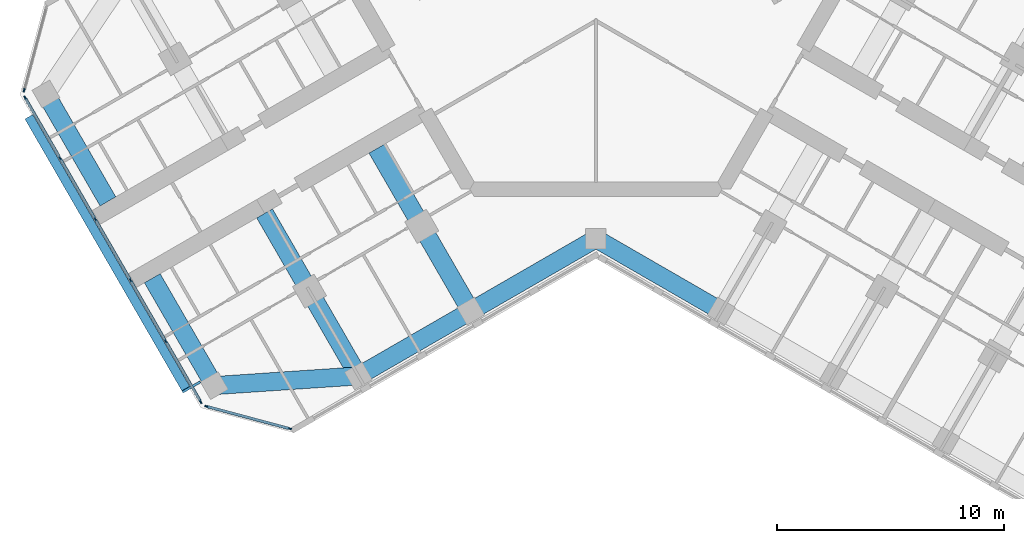
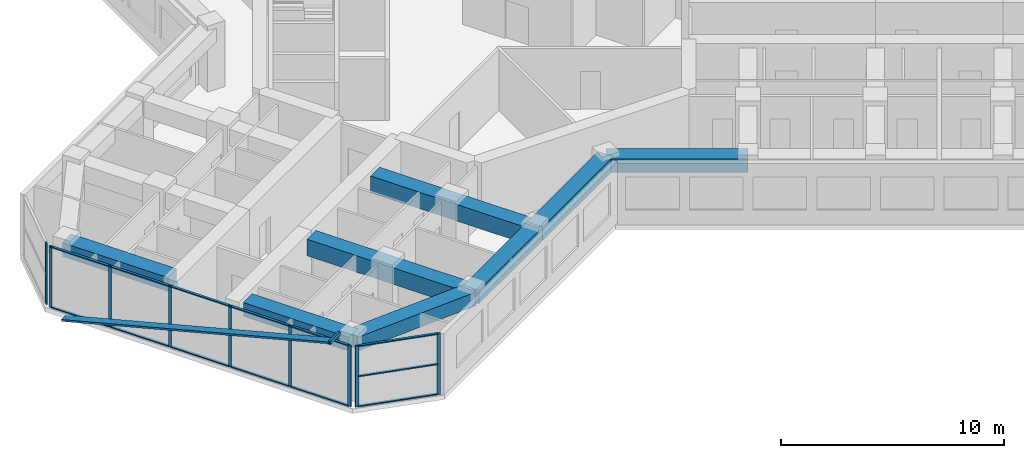
# One storey, part 2 of 16: 24 members, 8 beams, 3 elements without a shape of their own.
"""IFC4 building model written with IfcOpenShell, lengths in metres."""

from ifc_helpers import new_model, si_unit, direction, frame, origin, origin_2d, place, context, subcontext, project, spatial, rectangle, hollow_rectangle, extrude, material, material_profile, profile_set, type_object, element, aggregate, save


model = new_model("IFC4")

# Units and contexts
model_context = context("Model", 3, precision=1e-05, world=origin(), true_north=direction((0.0, 1.0)))
body_context = subcontext(model_context, "Body", "Model", "MODEL_VIEW")
ifc_project = project(units=[si_unit("LENGTHUNIT", "METRE"), si_unit("AREAUNIT", "SQUARE_METRE"), si_unit("VOLUMEUNIT", "CUBIC_METRE"), si_unit("PLANEANGLEUNIT", "RADIAN"), si_unit("MASSUNIT", "GRAM", prefix="KILO")], contexts=[model_context])

# Site, building, storey
site_placement = place(None, origin())
site = spatial("IfcSite", under=ifc_project, at=site_placement, CompositionType="ELEMENT")
building_placement = place(site_placement, origin())
building = spatial("IfcBuilding", under=site, at=building_placement, Name="Kosmar Iwan School Tower", CompositionType="ELEMENT")
storey_placement = place(building_placement, frame((0.0, 0.0, 208.199951171875)))
storey = spatial("IfcBuildingStorey", under=building, at=storey_placement, Name="L52", CompositionType="ELEMENT", Elevation=208.199951171875)

# Members
ifc_material_1 = material(Name="Black anodised aluminium", Category="aluminium")
ifc_material_profile_1 = material_profile(ifc_material_1, rectangle(XDim=0.10009765625, YDim=0.39990234375, at=origin_2d()), Name="FIN 100x400")
ifc_profile_set_1 = profile_set([ifc_material_profile_1], Name="Black anodised aluminium")
member_type_1 = type_object("IfcMemberType", Name="Diagonal fin 100x400", PredefinedType="USERDEFINED", material=ifc_profile_set_1)
member_1_placement = place(storey_placement, frame((-24.926513671875, -6.426025390625, -0.14990234375), z_axis=(0.483802480126, -0.837968840024, 0.252474520243), x_axis=(-0.126237445008, 0.218649241594, 0.967603543104)))
element("IfcMember", 1, at=member_1_placement, inside=storey, type_object=member_type_1, Name="Diagonal fin L52-F11", ObjectType="FIN", PredefinedType="USERDEFINED", context=body_context, shape_type="SweptSolid", body=[
    extrude(rectangle(XDim=0.10009765625, YDim=0.39990234375, at=origin_2d()), origin(), (0.0, 0.0, 1.0), 14.25830078125),
])
ifc_material_2 = material(Name="Steel S355", Category="steel")
ifc_material_profile_2 = material_profile(ifc_material_2, hollow_rectangle(XDim=0.10009765625, YDim=0.199951171875, WallThickness=0.008056640625, at=origin_2d()), Name="RHS 200x100x8")
ifc_profile_set_2 = profile_set([ifc_material_profile_2], Name="Steel S355")
member_type_2 = type_object("IfcMemberType", Name="Fin bracket RHS 200x100", PredefinedType="USERDEFINED", material=ifc_profile_set_2)
member_2_placement = place(storey_placement, frame((-17.396240234375, -18.06884765625, 3.47509765625), z_axis=(-0.866013897511, -0.50001992892, 0.0), x_axis=(0.50001992892, -0.866013897511, 0.0)))
element("IfcMember", 2, at=member_2_placement, inside=storey, type_object=member_type_2, Name="Fin bracket L53", ObjectType="FIN BRACKET", PredefinedType="USERDEFINED", context=body_context, shape_type="SweptSolid", body=[
    extrude(hollow_rectangle(XDim=0.10009765625, YDim=0.199951171875, WallThickness=0.008056640625, at=origin_2d()), origin(), (0.0, 0.0, 1.0), 0.89990234375),
])

# Curtain wall, member
ifc_material_3 = material(Name="Dark glass in black aluminium frame", Category="aluminium")
curtain_wall_type_1 = type_object("IfcCurtainWallType", Name="Chamfer curtain wall dark glass", PredefinedType="USERDEFINED", material=ifc_material_3)
curtain_wall_1_placement = place(storey_placement, origin())
curtain_wall_1 = element("IfcCurtainWall", 3, at=curtain_wall_1_placement, inside=storey, type_object=curtain_wall_type_1, Name="Curtain wall L52-F10", ObjectType="FACETED CURTAIN WALL", PredefinedType="USERDEFINED")
ifc_material_4 = material(Name="Black anodised aluminium", Category="aluminium")
ifc_material_profile_3 = material_profile(ifc_material_4, rectangle(XDim=0.06005859375, YDim=0.159912109375, at=origin_2d()), Name="MULLION 60x160")
ifc_profile_set_3 = profile_set([ifc_material_profile_3], Name="Black anodised aluminium")
member_type_3 = type_object("IfcMemberType", Name="Mullion 60x160", PredefinedType="MULLION", material=ifc_profile_set_3)
member_3_placement = place(storey_placement, frame((-25.141845703125, -5.24853515625, 0.0), z_axis=(0.0, 0.0, 1.0), x_axis=(0.965925875495, -0.258818861462, 0.0)))
member_3 = element("IfcMember", 4, at=member_3_placement, type_object=member_type_3, Name="CW2 mullion 2", PredefinedType="MULLION", context=body_context, shape_type="SweptSolid", body=[
    extrude(rectangle(XDim=0.06005859375, YDim=0.159912109375, at=origin_2d()), origin(), (0.0, 0.0, 1.0), 3.35009765625),
])
aggregate(curtain_wall_1, [member_3])

# Curtain wall, members
ifc_material_5 = material(Name="Dark glass in black aluminium frame", Category="aluminium")
curtain_wall_type_2 = type_object("IfcCurtainWallType", Name="Tower curtain wall dark glass", PredefinedType="USERDEFINED", material=ifc_material_5)
curtain_wall_2_placement = place(storey_placement, origin())
curtain_wall_2 = element("IfcCurtainWall", 5, at=curtain_wall_2_placement, inside=storey, type_object=curtain_wall_type_2, Name="Curtain wall L52-F11", ObjectType="UNITISED CURTAIN WALL", PredefinedType="USERDEFINED")
member_4_placement = place(storey_placement, frame((-25.098388671875, -5.578369140625, 0.0), z_axis=(0.0, 0.0, 1.0), x_axis=(0.866025405329, 0.499999997325, 0.0)))
member_4 = element("IfcMember", 6, at=member_4_placement, type_object=member_type_3, Name="CW1 mullion 1", PredefinedType="MULLION", context=body_context, shape_type="SweptSolid", body=[
    extrude(rectangle(XDim=0.06005859375, YDim=0.159912109375, at=origin_2d()), origin(), (0.0, 0.0, 1.0), 3.35009765625),
])
member_5_placement = place(storey_placement, frame((-23.563720703125, -8.236328125, 0.0), z_axis=(0.0, 0.0, 1.0), x_axis=(0.866025405329, 0.499999997325, 0.0)))
member_5 = element("IfcMember", 7, at=member_5_placement, type_object=member_type_3, Name="CW1 mullion 2", PredefinedType="MULLION", context=body_context, shape_type="SweptSolid", body=[
    extrude(rectangle(XDim=0.06005859375, YDim=0.159912109375, at=origin_2d()), origin(), (0.0, 0.0, 1.0), 3.35009765625),
])
member_6_placement = place(storey_placement, frame((-22.01416015625, -10.92041015625, 0.0), z_axis=(0.0, 0.0, 1.0), x_axis=(0.866025405329, 0.499999997325, 0.0)))
member_6 = element("IfcMember", 8, at=member_6_placement, type_object=member_type_3, Name="CW1 mullion 3", PredefinedType="MULLION", context=body_context, shape_type="SweptSolid", body=[
    extrude(rectangle(XDim=0.06005859375, YDim=0.159912109375, at=origin_2d()), origin(), (0.0, 0.0, 1.0), 3.35009765625),
])
member_7_placement = place(storey_placement, frame((-20.46435546875, -13.6044921875, 0.0), z_axis=(0.0, 0.0, 1.0), x_axis=(0.866025405329, 0.499999997325, 0.0)))
member_7 = element("IfcMember", 9, at=member_7_placement, type_object=member_type_3, Name="CW1 mullion 4", PredefinedType="MULLION", context=body_context, shape_type="SweptSolid", body=[
    extrude(rectangle(XDim=0.06005859375, YDim=0.159912109375, at=origin_2d()), origin(), (0.0, 0.0, 1.0), 3.35009765625),
])
member_8_placement = place(storey_placement, frame((-18.914794921875, -16.28857421875, 0.0), z_axis=(0.0, 0.0, 1.0), x_axis=(0.866025405329, 0.499999997325, 0.0)))
member_8 = element("IfcMember", 10, at=member_8_placement, type_object=member_type_3, Name="CW1 mullion 5", PredefinedType="MULLION", context=body_context, shape_type="SweptSolid", body=[
    extrude(rectangle(XDim=0.06005859375, YDim=0.159912109375, at=origin_2d()), origin(), (0.0, 0.0, 1.0), 3.35009765625),
])
member_9_placement = place(storey_placement, frame((-17.380126953125, -18.94677734375, 0.0), z_axis=(0.0, 0.0, 1.0), x_axis=(0.866025405329, 0.499999997325, 0.0)))
member_9 = element("IfcMember", 11, at=member_9_placement, type_object=member_type_3, Name="CW1 mullion 6", PredefinedType="MULLION", context=body_context, shape_type="SweptSolid", body=[
    extrude(rectangle(XDim=0.06005859375, YDim=0.159912109375, at=origin_2d()), origin(), (0.0, 0.0, 1.0), 3.35009765625),
])

curtain_wall_3_placement = place(storey_placement, origin())
curtain_wall_3 = element("IfcCurtainWall", 12, at=curtain_wall_3_placement, inside=storey, type_object=curtain_wall_type_1, Name="Curtain wall L52-F12", ObjectType="FACETED CURTAIN WALL", PredefinedType="USERDEFINED")
member_10_placement = place(storey_placement, frame((-17.1162109375, -19.149169921875, 0.0), z_axis=(0.0, 0.0, 1.0), x_axis=(0.258818861462, 0.965925875495, 0.0)))
member_10 = element("IfcMember", 13, at=member_10_placement, type_object=member_type_3, Name="CW2 mullion 1", PredefinedType="MULLION", context=body_context, shape_type="SweptSolid", body=[
    extrude(rectangle(XDim=0.06005859375, YDim=0.159912109375, at=origin_2d()), origin(), (0.0, 0.0, 1.0), 3.35009765625),
])
member_11_placement = place(storey_placement, frame((-13.466064453125, -20.127197265625, 0.0), z_axis=(0.0, 0.0, 1.0), x_axis=(0.258818861462, 0.965925875495, 0.0)))
member_11 = element("IfcMember", 14, at=member_11_placement, type_object=member_type_3, Name="CW2 mullion 2", PredefinedType="MULLION", context=body_context, shape_type="SweptSolid", body=[
    extrude(rectangle(XDim=0.06005859375, YDim=0.159912109375, at=origin_2d()), origin(), (0.0, 0.0, 1.0), 3.35009765625),
])

# Beams
ifc_material_6 = material(Name="Concrete C50/60", Category="concrete")
ifc_material_profile_4 = material_profile(ifc_material_6, rectangle(XDim=0.800048828125, YDim=0.75, at=origin_2d()), Name="RC 800x750")
ifc_profile_set_4 = profile_set([ifc_material_profile_4], Name="Concrete C50/60")
beam_type_1 = type_object("IfcBeamType", Name="RC edge beam 800x750", PredefinedType="BEAM", material=ifc_profile_set_4)
beam_1_placement = place(storey_placement, frame((0.0, -11.77783203125, 2.97509765625), z_axis=(-0.866014293216, -0.500019243575, 0.0), x_axis=(0.500019243575, -0.866014293216, 0.0)))
element("IfcBeam", 15, at=beam_1_placement, inside=storey, type_object=beam_type_1, Name="Edge beam BL1", PredefinedType="BEAM", context=body_context, shape_type="SweptSolid", body=[
    extrude(rectangle(XDim=0.800048828125, YDim=0.75, at=origin_2d()), origin(), (0.0, 0.0, 1.0), 6.361083984375),
])
beam_2_placement = place(storey_placement, frame((-5.5087890625, -14.95849609375, 2.97509765625), z_axis=(-0.866033658841, -0.49998570155, 0.0), x_axis=(0.49998570155, -0.866033658841, 0.0)))
element("IfcBeam", 16, at=beam_2_placement, inside=storey, type_object=beam_type_1, Name="Edge beam BL2", PredefinedType="BEAM", context=body_context, shape_type="SweptSolid", body=[
    extrude(rectangle(XDim=0.800048828125, YDim=0.75, at=origin_2d()), origin(), (0.0, 0.0, 1.0), 5.699951171875),
])
beam_3_placement = place(storey_placement, frame((0.0, -11.77783203125, 2.97509765625), z_axis=(0.866014293216, -0.500019243575, 0.0), x_axis=(0.500019243575, 0.866014293216, 0.0)))
element("IfcBeam", 17, at=beam_3_placement, inside=storey, type_object=beam_type_1, Name="Edge beam CR1", PredefinedType="BEAM", context=body_context, shape_type="SweptSolid", body=[
    extrude(rectangle(XDim=0.800048828125, YDim=0.75, at=origin_2d()), origin(), (0.0, 0.0, 1.0), 6.361083984375),
])
ifc_material_7 = material(Name="Concrete C50/60", Category="concrete")
ifc_material_profile_5 = material_profile(ifc_material_7, rectangle(XDim=0.800048828125, YDim=0.75, at=origin_2d()), Name="RC 800x750")
ifc_profile_set_5 = profile_set([ifc_material_profile_5], Name="Concrete C50/60")
beam_type_2 = type_object("IfcBeamType", Name="RC tip beam 800x750", PredefinedType="BEAM", material=ifc_profile_set_5)
beam_4_placement = place(storey_placement, frame((-10.445068359375, -17.808349609375, 2.97509765625), z_axis=(-0.997755118724, -0.066968074933, 0.0), x_axis=(0.066968074933, -0.997755118724, 0.0)))
element("IfcBeam", 18, at=beam_4_placement, inside=storey, type_object=beam_type_2, Name="Tip beam BL", PredefinedType="BEAM", context=body_context, shape_type="SweptSolid", body=[
    extrude(rectangle(XDim=0.800048828125, YDim=0.75, at=origin_2d()), origin(), (0.0, 0.0, 1.0), 6.3505859375),
])
beam_5_placement = place(storey_placement, frame((-16.781494140625, -18.233642578125, 2.97509765625), z_axis=(-0.500002931134, 0.866023711487, 0.0), x_axis=(-0.866023711487, -0.500002931134, 0.0)))
element("IfcBeam", 19, at=beam_5_placement, inside=storey, type_object=beam_type_2, Name="Tip beam BL to corridor wall", PredefinedType="BEAM", context=body_context, shape_type="SweptSolid", body=[
    extrude(rectangle(XDim=0.800048828125, YDim=0.75, at=origin_2d()), origin(), (0.0, 0.0, 1.0), 5.4501953125),
])
beam_6_placement = place(storey_placement, frame((-24.181396484375, -5.41650390625, 2.97509765625), z_axis=(0.499988730927, -0.866031909889, 0.0), x_axis=(0.866031909889, 0.499988730927, 0.0)))
element("IfcBeam", 20, at=beam_6_placement, inside=storey, type_object=beam_type_2, Name="Tip beam BR to corridor wall", PredefinedType="BEAM", context=body_context, shape_type="SweptSolid", body=[
    extrude(rectangle(XDim=0.800048828125, YDim=0.75, at=origin_2d()), origin(), (0.0, 0.0, 1.0), 5.449951171875),
])
ifc_material_8 = material(Name="Concrete C50/60", Category="concrete")
ifc_material_profile_6 = material_profile(ifc_material_8, rectangle(XDim=0.800048828125, YDim=0.89990234375, at=origin_2d()), Name="RC 800x900")
ifc_profile_set_6 = profile_set([ifc_material_profile_6], Name="Concrete C50/60")
beam_type_3 = type_object("IfcBeamType", Name="RC transverse beam 800x900", PredefinedType="BEAM", material=ifc_profile_set_6)
beam_7_placement = place(storey_placement, frame((-5.5087890625, -14.95849609375, 2.900146484375), z_axis=(-0.499996545922, 0.866027397988, 0.0), x_axis=(-0.866027397988, -0.499996545922, 0.0)))
element("IfcBeam", 21, at=beam_7_placement, inside=storey, type_object=beam_type_3, Name="Transverse beam BL1", PredefinedType="BEAM", context=body_context, shape_type="SweptSolid", body=[
    extrude(rectangle(XDim=0.800048828125, YDim=0.89990234375, at=origin_2d()), origin(), (0.0, 0.0, 1.0), 8.25),
])
beam_8_placement = place(storey_placement, frame((-10.445068359375, -17.808349609375, 2.900146484375), z_axis=(-0.500009360108, 0.866019999656, 0.0), x_axis=(-0.866019999656, -0.500009360108, 0.0)))
element("IfcBeam", 22, at=beam_8_placement, inside=storey, type_object=beam_type_3, Name="Transverse beam BL2", PredefinedType="BEAM", context=body_context, shape_type="SweptSolid", body=[
    extrude(rectangle(XDim=0.800048828125, YDim=0.89990234375, at=origin_2d()), origin(), (0.0, 0.0, 1.0), 8.249755859375),
])

# Member
ifc_material_9 = material(Name="Black anodised aluminium", Category="aluminium")
ifc_material_profile_7 = material_profile(ifc_material_9, rectangle(XDim=0.1201171875, YDim=0.06005859375, at=origin_2d()), Name="TRANSOM 60x120")
ifc_profile_set_7 = profile_set([ifc_material_profile_7], Name="Black anodised aluminium")
member_type_4 = type_object("IfcMemberType", Name="Transom 60x120", PredefinedType="USERDEFINED", material=ifc_profile_set_7)
member_12_placement = place(storey_placement, frame((-25.08349609375, -5.604248046875, 0.030029296875), z_axis=(0.499986971506, -0.866032925658, 0.0), x_axis=(0.866032925658, 0.499986971506, 0.0)))
member_12 = element("IfcMember", 23, at=member_12_placement, type_object=member_type_4, Name="CW1 transom 1.1", ObjectType="TRANSOM", PredefinedType="USERDEFINED", context=body_context, shape_type="SweptSolid", body=[
    extrude(rectangle(XDim=0.1201171875, YDim=0.06005859375, at=origin_2d()), origin(), (0.0, 0.0, 1.0), 3.00927734375),
])

member_13_placement = place(storey_placement, frame((-25.08349609375, -5.604248046875, 3.320068359375), z_axis=(0.499986971506, -0.866032925658, 0.0), x_axis=(0.866032925658, 0.499986971506, 0.0)))
member_13 = element("IfcMember", 24, at=member_13_placement, type_object=member_type_4, Name="CW1 transom 1.2", ObjectType="TRANSOM", PredefinedType="USERDEFINED", context=body_context, shape_type="SweptSolid", body=[
    extrude(rectangle(XDim=0.1201171875, YDim=0.06005859375, at=origin_2d()), origin(), (0.0, 0.0, 1.0), 3.00927734375),
])

member_14_placement = place(storey_placement, frame((-23.548828125, -8.262451171875, 0.030029296875), z_axis=(0.500035348339, -0.866004994449, 0.0), x_axis=(0.866004994449, 0.500035348339, 0.0)))
member_14 = element("IfcMember", 25, at=member_14_placement, type_object=member_type_4, Name="CW1 transom 2.1", ObjectType="TRANSOM", PredefinedType="USERDEFINED", context=body_context, shape_type="SweptSolid", body=[
    extrude(rectangle(XDim=0.1201171875, YDim=0.06005859375, at=origin_2d()), origin(), (0.0, 0.0, 1.0), 3.039306640625),
])

member_15_placement = place(storey_placement, frame((-23.548828125, -8.262451171875, 3.320068359375), z_axis=(0.500035348339, -0.866004994449, 0.0), x_axis=(0.866004994449, 0.500035348339, 0.0)))
member_15 = element("IfcMember", 26, at=member_15_placement, type_object=member_type_4, Name="CW1 transom 2.2", ObjectType="TRANSOM", PredefinedType="USERDEFINED", context=body_context, shape_type="SweptSolid", body=[
    extrude(rectangle(XDim=0.1201171875, YDim=0.06005859375, at=origin_2d()), origin(), (0.0, 0.0, 1.0), 3.039306640625),
])

member_16_placement = place(storey_placement, frame((-21.9990234375, -10.946533203125, 0.030029296875), z_axis=(0.499975102327, -0.866039777986, 0.0), x_axis=(0.866039777986, 0.499975102327, 0.0)))
member_16 = element("IfcMember", 27, at=member_16_placement, type_object=member_type_4, Name="CW1 transom 3.1", ObjectType="TRANSOM", PredefinedType="USERDEFINED", context=body_context, shape_type="SweptSolid", body=[
    extrude(rectangle(XDim=0.1201171875, YDim=0.06005859375, at=origin_2d()), origin(), (0.0, 0.0, 1.0), 3.039306640625),
])

member_17_placement = place(storey_placement, frame((-21.9990234375, -10.946533203125, 3.320068359375), z_axis=(0.499975102327, -0.866039777986, 0.0), x_axis=(0.866039777986, 0.499975102327, 0.0)))
member_17 = element("IfcMember", 28, at=member_17_placement, type_object=member_type_4, Name="CW1 transom 3.2", ObjectType="TRANSOM", PredefinedType="USERDEFINED", context=body_context, shape_type="SweptSolid", body=[
    extrude(rectangle(XDim=0.1201171875, YDim=0.06005859375, at=origin_2d()), origin(), (0.0, 0.0, 1.0), 3.039306640625),
])

member_18_placement = place(storey_placement, frame((-20.449462890625, -13.630615234375, 0.030029296875), z_axis=(0.500035348339, -0.866004994449, 0.0), x_axis=(0.866004994449, 0.500035348339, 0.0)))
member_18 = element("IfcMember", 29, at=member_18_placement, type_object=member_type_4, Name="CW1 transom 4.1", ObjectType="TRANSOM", PredefinedType="USERDEFINED", context=body_context, shape_type="SweptSolid", body=[
    extrude(rectangle(XDim=0.1201171875, YDim=0.06005859375, at=origin_2d()), origin(), (0.0, 0.0, 1.0), 3.039306640625),
])

member_19_placement = place(storey_placement, frame((-20.449462890625, -13.630615234375, 3.320068359375), z_axis=(0.500035348339, -0.866004994449, 0.0), x_axis=(0.866004994449, 0.500035348339, 0.0)))
member_19 = element("IfcMember", 30, at=member_19_placement, type_object=member_type_4, Name="CW1 transom 4.2", ObjectType="TRANSOM", PredefinedType="USERDEFINED", context=body_context, shape_type="SweptSolid", body=[
    extrude(rectangle(XDim=0.1201171875, YDim=0.06005859375, at=origin_2d()), origin(), (0.0, 0.0, 1.0), 3.039306640625),
])

member_20_placement = place(storey_placement, frame((-18.89990234375, -16.314697265625, 0.030029296875), z_axis=(0.500022102064, -0.866012642776, 0.0), x_axis=(0.866012642776, 0.500022102064, 0.0)))
member_20 = element("IfcMember", 31, at=member_20_placement, type_object=member_type_4, Name="CW1 transom 5.1", ObjectType="TRANSOM", PredefinedType="USERDEFINED", context=body_context, shape_type="SweptSolid", body=[
    extrude(rectangle(XDim=0.1201171875, YDim=0.06005859375, at=origin_2d()), origin(), (0.0, 0.0, 1.0), 3.009033203125),
])

member_21_placement = place(storey_placement, frame((-18.89990234375, -16.314697265625, 3.320068359375), z_axis=(0.500022102064, -0.866012642776, 0.0), x_axis=(0.866012642776, 0.500022102064, 0.0)))
member_21 = element("IfcMember", 32, at=member_21_placement, type_object=member_type_4, Name="CW1 transom 5.2", ObjectType="TRANSOM", PredefinedType="USERDEFINED", context=body_context, shape_type="SweptSolid", body=[
    extrude(rectangle(XDim=0.1201171875, YDim=0.06005859375, at=origin_2d()), origin(), (0.0, 0.0, 1.0), 3.009033203125),
])

aggregate(curtain_wall_2, [member_4, member_5, member_6, member_7, member_8, member_9, member_12, member_13, member_14, member_15, member_16, member_17, member_18, member_19, member_20, member_21])

member_22_placement = place(storey_placement, frame((-17.08740234375, -19.156982421875, 0.030029296875), z_axis=(0.965940141052, -0.258765615768, 0.0), x_axis=(0.258765615768, 0.965940141052, 0.0)))
member_22 = element("IfcMember", 33, at=member_22_placement, type_object=member_type_4, Name="CW2 transom 1.1", ObjectType="TRANSOM", PredefinedType="USERDEFINED", context=body_context, shape_type="SweptSolid", body=[
    extrude(rectangle(XDim=0.1201171875, YDim=0.06005859375, at=origin_2d()), origin(), (0.0, 0.0, 1.0), 3.71923828125),
])

member_23_placement = place(storey_placement, frame((-17.08740234375, -19.156982421875, 1.675048828125), z_axis=(0.965940141052, -0.258765615768, 0.0), x_axis=(0.258765615768, 0.965940141052, 0.0)))
member_23 = element("IfcMember", 34, at=member_23_placement, type_object=member_type_4, Name="CW2 transom 1.2", ObjectType="TRANSOM", PredefinedType="USERDEFINED", context=body_context, shape_type="SweptSolid", body=[
    extrude(rectangle(XDim=0.1201171875, YDim=0.06005859375, at=origin_2d()), origin(), (0.0, 0.0, 1.0), 3.71923828125),
])

member_24_placement = place(storey_placement, frame((-17.08740234375, -19.156982421875, 3.320068359375), z_axis=(0.965940141052, -0.258765615768, 0.0), x_axis=(0.258765615768, 0.965940141052, 0.0)))
member_24 = element("IfcMember", 35, at=member_24_placement, type_object=member_type_4, Name="CW2 transom 1.3", ObjectType="TRANSOM", PredefinedType="USERDEFINED", context=body_context, shape_type="SweptSolid", body=[
    extrude(rectangle(XDim=0.1201171875, YDim=0.06005859375, at=origin_2d()), origin(), (0.0, 0.0, 1.0), 3.71923828125),
])

aggregate(curtain_wall_3, [member_10, member_11, member_22, member_23, member_24])

save(model, "model.ifc")
